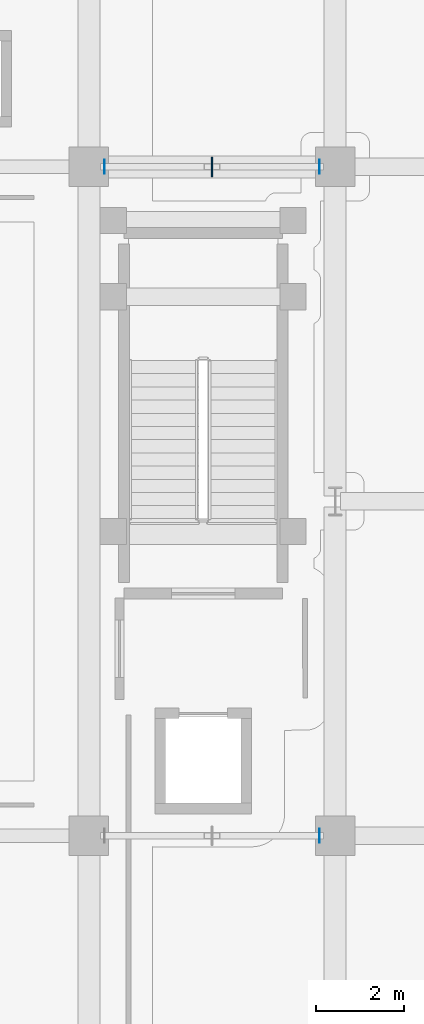
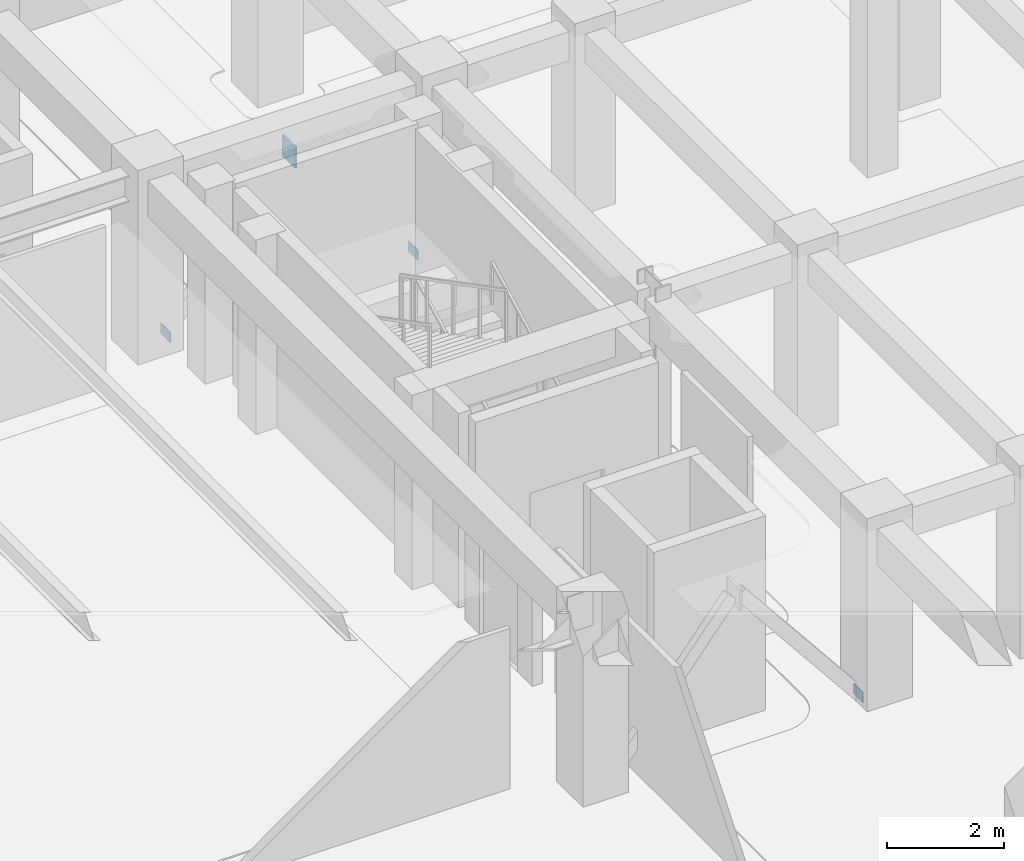
# One storey, part 54 of 87: 4 plates.
"""IFC4 building model written with IfcOpenShell, lengths in metres."""

from ifc_helpers import new_model, si_unit, direction, frame, origin, origin_2d, place, context, subcontext, project, spatial, rectangle, extrude, material, layer, layer_set, type_object, element, save


model = new_model("IFC4")

# Units and contexts
model_context = context("Model", 3, precision=1e-05, world=origin(), true_north=direction((0.0, 1.0)))
body_context = subcontext(model_context, "Body", "Model", "MODEL_VIEW")
ifc_project = project(units=[si_unit("LENGTHUNIT", "METRE"), si_unit("AREAUNIT", "SQUARE_METRE"), si_unit("VOLUMEUNIT", "CUBIC_METRE"), si_unit("PLANEANGLEUNIT", "RADIAN"), si_unit("MASSUNIT", "GRAM", prefix="KILO")], contexts=[model_context])

# Site, building, storey
site_placement = place(None, origin())
site = spatial("IfcSite", under=ifc_project, at=site_placement, CompositionType="ELEMENT")
building_placement = place(site_placement, origin())
building = spatial("IfcBuilding", under=site, at=building_placement, Name="Saryqyr Civic Hall", CompositionType="ELEMENT")
storey_placement = place(building_placement, frame((0.0, 0.0, 5.10009765625)))
storey = spatial("IfcBuildingStorey", under=building, at=storey_placement, Name="L01", CompositionType="ELEMENT", Elevation=5.10009765625)

# Plates
ifc_material = material(Name="Steel S355", Category="steel")
ifc_layer_1 = layer(ifc_material, 0.01611328125, Name="Steel S355")
ifc_layer_set_1 = layer_set([ifc_layer_1], Name="Steel S355")
plate_type_1 = type_object("IfcPlateType", Name="STR-PLT-CAP16", PredefinedType="USERDEFINED", material=ifc_layer_set_1)
for number, where, z_axis, x_axis, name in (
    (1, (69.840087890625, 76.39990234375, 0.009765625), (0.0, 0.0, 1.0), (1.0, 0.0, 0.0), "Hollow section end cap V1-BRCAP-2B0-L01"),
    (2, (64.9599609375, 91.60009765625, 0.009765625), (0.0, 0.0, 1.0), (1.0, 0.0, 0.0), "Hollow section end cap V1-BRCAP-4A0-L01"),
    (3, (69.840087890625, 91.60009765625, 0.009765625), (0.0, 0.0, 1.0), (1.0, 0.0, 0.0), "Hollow section end cap V1-BRCAP-4B0-L01"),
):
    element("IfcPlate", number, at=place(storey_placement, frame(where, z_axis=z_axis, x_axis=x_axis)), inside=storey, type_object=plate_type_1, Name=name, ObjectType="FLANGE_PLATE", PredefinedType="USERDEFINED", context=body_context, shape_type="SweptSolid", body=[
        extrude(rectangle(XDim=0.01611328125, YDim=0.320068359375, at=origin_2d()), origin(), (0.0, 0.0, 1.0), 0.219970703125),
    ])
ifc_layer_2 = layer(ifc_material, 0.0400390625, Name="Steel S355")
ifc_layer_set_2 = layer_set([ifc_layer_2], Name="Steel S355")
plate_type_2 = type_object("IfcPlateType", Name="STR-PLT-GUS40", PredefinedType="USERDEFINED", material=ifc_layer_set_2)
plate_placement = place(storey_placement, frame((67.39990234375, 91.60009765625, 2.829833984375), z_axis=(0.0, 0.0, 1.0), x_axis=(1.0, 0.0, 0.0)))
element("IfcPlate", 4, at=plate_placement, inside=storey, type_object=plate_type_2, Name="Hollow section end cap V1-BRGUS-4-L01", ObjectType="FLANGE_PLATE", PredefinedType="USERDEFINED", context=body_context, shape_type="SweptSolid", body=[
    extrude(rectangle(XDim=0.0400390625, YDim=0.43994140625, at=origin_2d()), origin(), (0.0, 0.0, 1.0), 0.43994140625),
])

save(model, "model.ifc")
